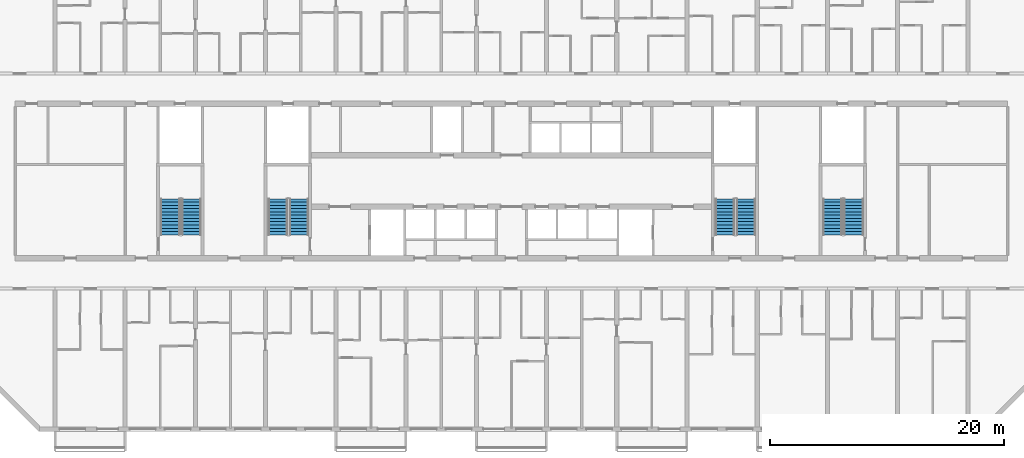
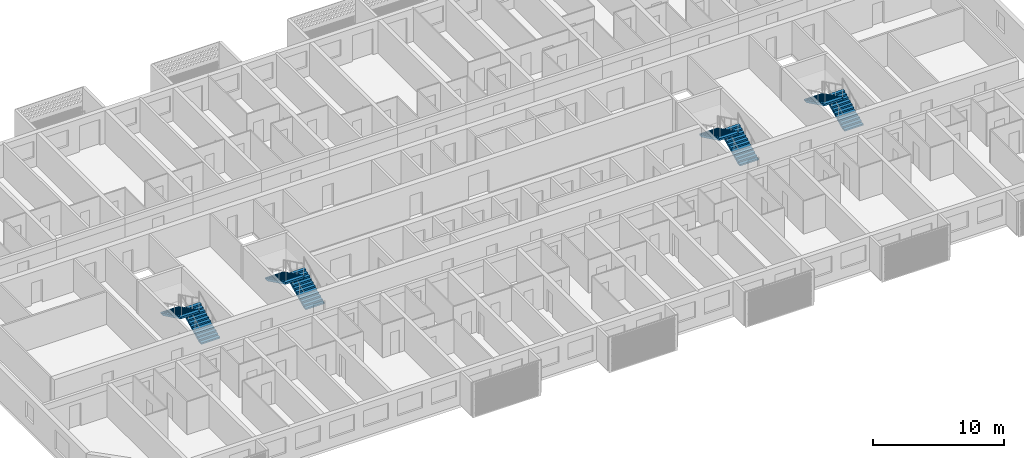
# One storey, part 16 of 30: 8 stair flights, 4 elements without a shape of their own.
"""IFC4 building model written with IfcOpenShell, lengths in metres."""

from ifc_helpers import new_model, si_unit, direction, frame, origin, place, context, subcontext, project, spatial, polyline, outline, extrude, material, layer, layer_set, type_object, element, aggregate, save


model = new_model("IFC4")

# Units and contexts
model_context = context("Model", 3, precision=1e-05, world=origin(), true_north=direction((0.0, 1.0)))
body_context = subcontext(model_context, "Body", "Model", "MODEL_VIEW")
ifc_project = project(units=[si_unit("LENGTHUNIT", "METRE"), si_unit("AREAUNIT", "SQUARE_METRE"), si_unit("VOLUMEUNIT", "CUBIC_METRE"), si_unit("PLANEANGLEUNIT", "RADIAN"), si_unit("MASSUNIT", "GRAM", prefix="KILO")], contexts=[model_context])

# Site, building, storey
site_placement = place(None, origin())
site = spatial("IfcSite", under=ifc_project, at=site_placement, CompositionType="ELEMENT")
building_placement = place(site_placement, origin())
building = spatial("IfcBuilding", under=site, at=building_placement, Name="Poui Terraces", CompositionType="ELEMENT")
storey_placement = place(building_placement, frame((0.0, 0.0, 99.300048828125)))
storey = spatial("IfcBuildingStorey", under=building, at=storey_placement, Name="L27", CompositionType="ELEMENT", Elevation=99.300048828125)

# Stair, stair flights
ifc_material = material(Name="Concrete 65 MPa", Category="concrete")
stair_type = type_object("IfcStairType", Name="EXIT STAIR 1650 65 MPA", PredefinedType="HALF_TURN_STAIR", material=ifc_material)
stair_1_placement = place(storey_placement, origin())
stair_1 = element("IfcStair", 1, at=stair_1_placement, inside=storey, type_object=stair_type, Name="L27 CORE STAIR EAST", PredefinedType="HALF_TURN_STAIR")
ifc_layer = layer(ifc_material, 0.14990234375)
ifc_layer_set = layer_set([ifc_layer], Name="Concrete 65 MPa")
stair_flight_type = type_object("IfcStairFlightType", Name="STAIR FLIGHT 12 RISERS 138 RISE 65 MPA", PredefinedType="STRAIGHT", material=ifc_layer_set)
stair_flight_1_placement = place(storey_placement, frame((71.050048828125, 16.60009765625, 0.0), z_axis=(0.0, 0.0, 1.0), x_axis=(0.0, 1.0, 0.0)))
stair_flight_1 = element("IfcStairFlight", 2, at=stair_flight_1_placement, type_object=stair_flight_type, Name="ST-CE flight 1", NumberOfRisers=12, NumberOfTreads=11, PredefinedType="STRAIGHT", RiserHeight=0.1375, TreadLength=0.28, context=body_context, shape_type="SweptSolid", body=[
    extrude(outline(polyline([(0.0, 0.0), (0.0, 0.137451171875), (0.280029296875, 0.137451171875), (0.280029296875, 0.27490234375), (0.56005859375, 0.27490234375), (0.56005859375, 0.41259765625), (0.840087890625, 0.41259765625), (0.840087890625, 0.550048828125), (1.1201171875, 0.550048828125), (1.1201171875, 0.6875), (1.39990234375, 0.6875), (1.39990234375, 0.824951171875), (1.679931640625, 0.824951171875), (1.679931640625, 0.96240234375), (1.9599609375, 0.96240234375), (1.9599609375, 1.10009765625), (2.239990234375, 1.10009765625), (2.239990234375, 1.237548828125), (2.52001953125, 1.237548828125), (2.52001953125, 1.375), (2.800048828125, 1.375), (2.800048828125, 1.512451171875), (3.080078125, 1.512451171875), (3.080078125, 1.64990234375), (3.080078125, 1.345458984375), (0.340087890625, 0.0), (0.0, 0.0)])), frame((0.0, 0.824951171875, 0.0), z_axis=(0.0, -1.0, 0.0), x_axis=(1.0, 0.0, 0.0)), (0.0, 0.0, 1.0), 1.64990234375),
])
stair_flight_2_placement = place(storey_placement, frame((69.25, 19.679931640625, 1.64990234375), z_axis=(0.0, 0.0, 1.0), x_axis=(0.0, -1.0, 0.0)))
stair_flight_2 = element("IfcStairFlight", 3, at=stair_flight_2_placement, type_object=stair_flight_type, Name="ST-CE flight 2", NumberOfRisers=12, NumberOfTreads=11, PredefinedType="STRAIGHT", RiserHeight=0.1375, TreadLength=0.28, context=body_context, shape_type="SweptSolid", body=[
    extrude(outline(polyline([(0.0, 0.0), (0.0, 0.137451171875), (0.280029296875, 0.137451171875), (0.280029296875, 0.27490234375), (0.56005859375, 0.27490234375), (0.56005859375, 0.41259765625), (0.840087890625, 0.41259765625), (0.840087890625, 0.550048828125), (1.1201171875, 0.550048828125), (1.1201171875, 0.6875), (1.39990234375, 0.6875), (1.39990234375, 0.824951171875), (1.679931640625, 0.824951171875), (1.679931640625, 0.96240234375), (1.9599609375, 0.96240234375), (1.9599609375, 1.10009765625), (2.239990234375, 1.10009765625), (2.239990234375, 1.237548828125), (2.52001953125, 1.237548828125), (2.52001953125, 1.375), (2.800048828125, 1.375), (2.800048828125, 1.512451171875), (3.080078125, 1.512451171875), (3.080078125, 1.64990234375), (3.080078125, 1.345458984375), (0.340087890625, 0.0), (0.0, 0.0)])), frame((0.0, 0.824951171875, 0.0), z_axis=(0.0, -1.0, 0.0), x_axis=(1.0, 0.0, 0.0)), (0.0, 0.0, 1.0), 1.64990234375),
])
aggregate(stair_1, [stair_flight_1, stair_flight_2])

stair_2_placement = place(storey_placement, origin())
stair_2 = element("IfcStair", 4, at=stair_2_placement, inside=storey, type_object=stair_type, Name="L27 CORE STAIR WEST", PredefinedType="HALF_TURN_STAIR")
stair_flight_3_placement = place(storey_placement, frame((32.85009765625, 16.60009765625, 0.0), z_axis=(0.0, 0.0, 1.0), x_axis=(0.0, 1.0, 0.0)))
stair_flight_3 = element("IfcStairFlight", 5, at=stair_flight_3_placement, type_object=stair_flight_type, Name="ST-CW flight 1", NumberOfRisers=12, NumberOfTreads=11, PredefinedType="STRAIGHT", RiserHeight=0.1375, TreadLength=0.28, context=body_context, shape_type="SweptSolid", body=[
    extrude(outline(polyline([(0.0, 0.0), (0.0, 0.137451171875), (0.280029296875, 0.137451171875), (0.280029296875, 0.27490234375), (0.56005859375, 0.27490234375), (0.56005859375, 0.41259765625), (0.840087890625, 0.41259765625), (0.840087890625, 0.550048828125), (1.1201171875, 0.550048828125), (1.1201171875, 0.6875), (1.39990234375, 0.6875), (1.39990234375, 0.824951171875), (1.679931640625, 0.824951171875), (1.679931640625, 0.96240234375), (1.9599609375, 0.96240234375), (1.9599609375, 1.10009765625), (2.239990234375, 1.10009765625), (2.239990234375, 1.237548828125), (2.52001953125, 1.237548828125), (2.52001953125, 1.375), (2.800048828125, 1.375), (2.800048828125, 1.512451171875), (3.080078125, 1.512451171875), (3.080078125, 1.64990234375), (3.080078125, 1.345458984375), (0.340087890625, 0.0), (0.0, 0.0)])), frame((0.0, 0.824951171875, 0.0), z_axis=(0.0, -1.0, 0.0), x_axis=(1.0, 0.0, 0.0)), (0.0, 0.0, 1.0), 1.64990234375),
])
stair_flight_4_placement = place(storey_placement, frame((31.050048828125, 19.679931640625, 1.64990234375), z_axis=(0.0, 0.0, 1.0), x_axis=(0.0, -1.0, 0.0)))
stair_flight_4 = element("IfcStairFlight", 6, at=stair_flight_4_placement, type_object=stair_flight_type, Name="ST-CW flight 2", NumberOfRisers=12, NumberOfTreads=11, PredefinedType="STRAIGHT", RiserHeight=0.1375, TreadLength=0.28, context=body_context, shape_type="SweptSolid", body=[
    extrude(outline(polyline([(0.0, 0.0), (0.0, 0.137451171875), (0.280029296875, 0.137451171875), (0.280029296875, 0.27490234375), (0.56005859375, 0.27490234375), (0.56005859375, 0.41259765625), (0.840087890625, 0.41259765625), (0.840087890625, 0.550048828125), (1.1201171875, 0.550048828125), (1.1201171875, 0.6875), (1.39990234375, 0.6875), (1.39990234375, 0.824951171875), (1.679931640625, 0.824951171875), (1.679931640625, 0.96240234375), (1.9599609375, 0.96240234375), (1.9599609375, 1.10009765625), (2.239990234375, 1.10009765625), (2.239990234375, 1.237548828125), (2.52001953125, 1.237548828125), (2.52001953125, 1.375), (2.800048828125, 1.375), (2.800048828125, 1.512451171875), (3.080078125, 1.512451171875), (3.080078125, 1.64990234375), (3.080078125, 1.345458984375), (0.340087890625, 0.0), (0.0, 0.0)])), frame((0.0, 0.824951171875, 0.0), z_axis=(0.0, -1.0, 0.0), x_axis=(1.0, 0.0, 0.0)), (0.0, 0.0, 1.0), 1.64990234375),
])
aggregate(stair_2, [stair_flight_3, stair_flight_4])

stair_3_placement = place(storey_placement, origin())
stair_3 = element("IfcStair", 7, at=stair_3_placement, inside=storey, type_object=stair_type, Name="L27 TIP STAIR EAST", PredefinedType="HALF_TURN_STAIR")
stair_flight_5_placement = place(storey_placement, frame((80.25, 16.60009765625, 0.0), z_axis=(0.0, 0.0, 1.0), x_axis=(0.0, 1.0, 0.0)))
stair_flight_5 = element("IfcStairFlight", 8, at=stair_flight_5_placement, type_object=stair_flight_type, Name="ST-E flight 1", NumberOfRisers=12, NumberOfTreads=11, PredefinedType="STRAIGHT", RiserHeight=0.1375, TreadLength=0.28, context=body_context, shape_type="SweptSolid", body=[
    extrude(outline(polyline([(0.0, 0.0), (0.0, 0.137451171875), (0.280029296875, 0.137451171875), (0.280029296875, 0.27490234375), (0.56005859375, 0.27490234375), (0.56005859375, 0.41259765625), (0.840087890625, 0.41259765625), (0.840087890625, 0.550048828125), (1.1201171875, 0.550048828125), (1.1201171875, 0.6875), (1.39990234375, 0.6875), (1.39990234375, 0.824951171875), (1.679931640625, 0.824951171875), (1.679931640625, 0.96240234375), (1.9599609375, 0.96240234375), (1.9599609375, 1.10009765625), (2.239990234375, 1.10009765625), (2.239990234375, 1.237548828125), (2.52001953125, 1.237548828125), (2.52001953125, 1.375), (2.800048828125, 1.375), (2.800048828125, 1.512451171875), (3.080078125, 1.512451171875), (3.080078125, 1.64990234375), (3.080078125, 1.345458984375), (0.340087890625, 0.0), (0.0, 0.0)])), frame((0.0, 0.824951171875, 0.0), z_axis=(0.0, -1.0, 0.0), x_axis=(1.0, 0.0, 0.0)), (0.0, 0.0, 1.0), 1.64990234375),
])
stair_flight_6_placement = place(storey_placement, frame((78.449951171875, 19.679931640625, 1.64990234375), z_axis=(0.0, 0.0, 1.0), x_axis=(0.0, -1.0, 0.0)))
stair_flight_6 = element("IfcStairFlight", 9, at=stair_flight_6_placement, type_object=stair_flight_type, Name="ST-E flight 2", NumberOfRisers=12, NumberOfTreads=11, PredefinedType="STRAIGHT", RiserHeight=0.1375, TreadLength=0.28, context=body_context, shape_type="SweptSolid", body=[
    extrude(outline(polyline([(0.0, 0.0), (0.0, 0.137451171875), (0.280029296875, 0.137451171875), (0.280029296875, 0.27490234375), (0.56005859375, 0.27490234375), (0.56005859375, 0.41259765625), (0.840087890625, 0.41259765625), (0.840087890625, 0.550048828125), (1.1201171875, 0.550048828125), (1.1201171875, 0.6875), (1.39990234375, 0.6875), (1.39990234375, 0.824951171875), (1.679931640625, 0.824951171875), (1.679931640625, 0.96240234375), (1.9599609375, 0.96240234375), (1.9599609375, 1.10009765625), (2.239990234375, 1.10009765625), (2.239990234375, 1.237548828125), (2.52001953125, 1.237548828125), (2.52001953125, 1.375), (2.800048828125, 1.375), (2.800048828125, 1.512451171875), (3.080078125, 1.512451171875), (3.080078125, 1.64990234375), (3.080078125, 1.345458984375), (0.340087890625, 0.0), (0.0, 0.0)])), frame((0.0, 0.824951171875, 0.0), z_axis=(0.0, -1.0, 0.0), x_axis=(1.0, 0.0, 0.0)), (0.0, 0.0, 1.0), 1.64990234375),
])
aggregate(stair_3, [stair_flight_5, stair_flight_6])

stair_4_placement = place(storey_placement, origin())
stair_4 = element("IfcStair", 10, at=stair_4_placement, inside=storey, type_object=stair_type, Name="L27 TIP STAIR WEST", PredefinedType="HALF_TURN_STAIR")
stair_flight_7_placement = place(storey_placement, frame((23.64990234375, 16.60009765625, 0.0), z_axis=(0.0, 0.0, 1.0), x_axis=(0.0, 1.0, 0.0)))
stair_flight_7 = element("IfcStairFlight", 11, at=stair_flight_7_placement, type_object=stair_flight_type, Name="ST-W flight 1", NumberOfRisers=12, NumberOfTreads=11, PredefinedType="STRAIGHT", RiserHeight=0.1375, TreadLength=0.28, context=body_context, shape_type="SweptSolid", body=[
    extrude(outline(polyline([(0.0, 0.0), (0.0, 0.137451171875), (0.280029296875, 0.137451171875), (0.280029296875, 0.27490234375), (0.56005859375, 0.27490234375), (0.56005859375, 0.41259765625), (0.840087890625, 0.41259765625), (0.840087890625, 0.550048828125), (1.1201171875, 0.550048828125), (1.1201171875, 0.6875), (1.39990234375, 0.6875), (1.39990234375, 0.824951171875), (1.679931640625, 0.824951171875), (1.679931640625, 0.96240234375), (1.9599609375, 0.96240234375), (1.9599609375, 1.10009765625), (2.239990234375, 1.10009765625), (2.239990234375, 1.237548828125), (2.52001953125, 1.237548828125), (2.52001953125, 1.375), (2.800048828125, 1.375), (2.800048828125, 1.512451171875), (3.080078125, 1.512451171875), (3.080078125, 1.64990234375), (3.080078125, 1.345458984375), (0.340087890625, 0.0), (0.0, 0.0)])), frame((0.0, 0.824951171875, 0.0), z_axis=(0.0, -1.0, 0.0), x_axis=(1.0, 0.0, 0.0)), (0.0, 0.0, 1.0), 1.64990234375),
])
stair_flight_8_placement = place(storey_placement, frame((21.85009765625, 19.679931640625, 1.64990234375), z_axis=(0.0, 0.0, 1.0), x_axis=(0.0, -1.0, 0.0)))
stair_flight_8 = element("IfcStairFlight", 12, at=stair_flight_8_placement, type_object=stair_flight_type, Name="ST-W flight 2", NumberOfRisers=12, NumberOfTreads=11, PredefinedType="STRAIGHT", RiserHeight=0.1375, TreadLength=0.28, context=body_context, shape_type="SweptSolid", body=[
    extrude(outline(polyline([(0.0, 0.0), (0.0, 0.137451171875), (0.280029296875, 0.137451171875), (0.280029296875, 0.27490234375), (0.56005859375, 0.27490234375), (0.56005859375, 0.41259765625), (0.840087890625, 0.41259765625), (0.840087890625, 0.550048828125), (1.1201171875, 0.550048828125), (1.1201171875, 0.6875), (1.39990234375, 0.6875), (1.39990234375, 0.824951171875), (1.679931640625, 0.824951171875), (1.679931640625, 0.96240234375), (1.9599609375, 0.96240234375), (1.9599609375, 1.10009765625), (2.239990234375, 1.10009765625), (2.239990234375, 1.237548828125), (2.52001953125, 1.237548828125), (2.52001953125, 1.375), (2.800048828125, 1.375), (2.800048828125, 1.512451171875), (3.080078125, 1.512451171875), (3.080078125, 1.64990234375), (3.080078125, 1.345458984375), (0.340087890625, 0.0), (0.0, 0.0)])), frame((0.0, 0.824951171875, 0.0), z_axis=(0.0, -1.0, 0.0), x_axis=(1.0, 0.0, 0.0)), (0.0, 0.0, 1.0), 1.64990234375),
])
aggregate(stair_4, [stair_flight_7, stair_flight_8])

save(model, "model.ifc")
